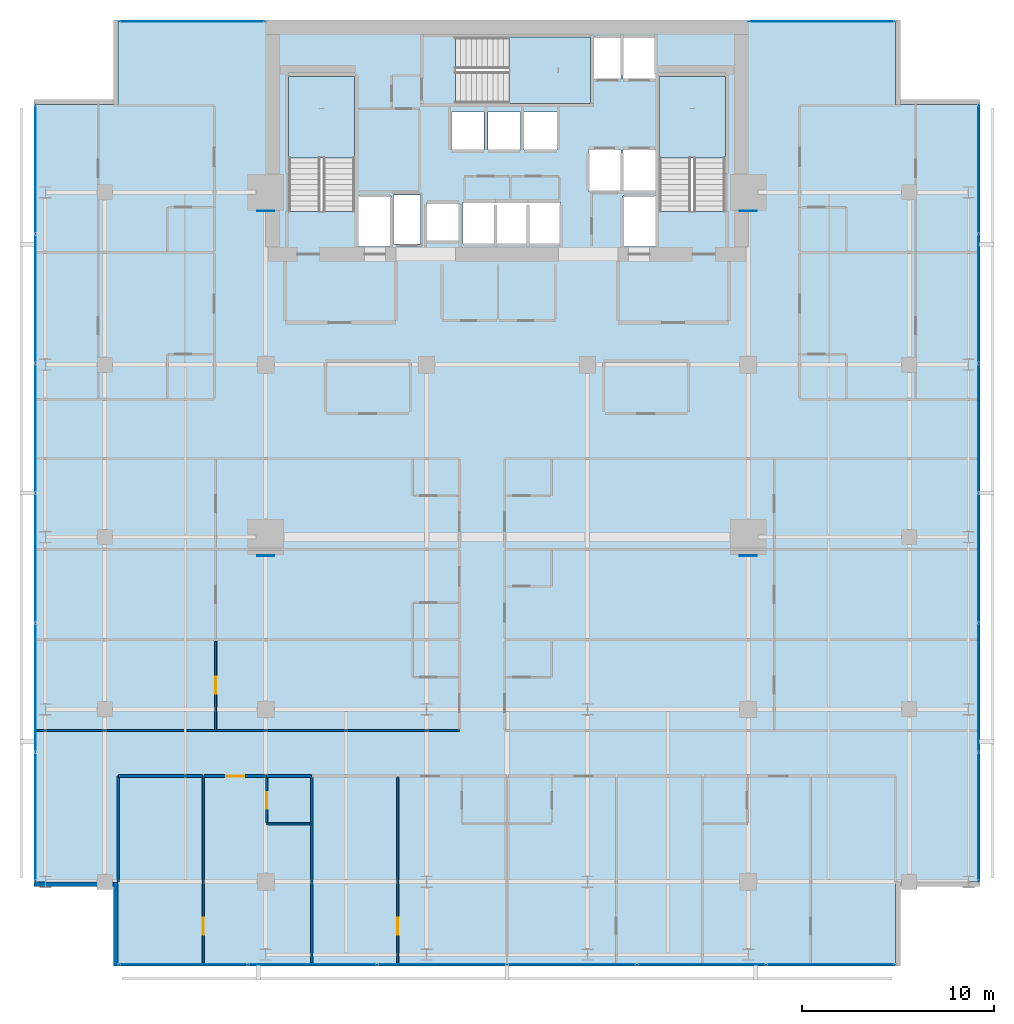
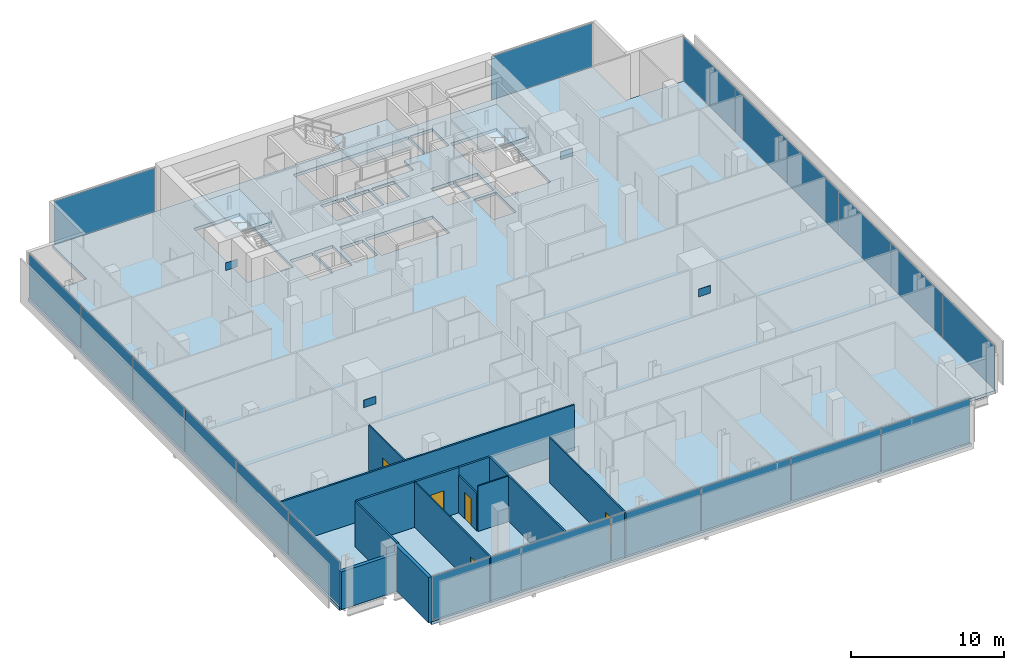
# One storey, part 26 of 34: 24 plates, 13 walls, 5 doors, 4 slabs, 5 openings, 8 elements without a shape of their own.
"""IFC4 building model written with IfcOpenShell, lengths in metres."""

from ifc_helpers import new_model, si_unit, direction, frame, frame_2d, origin, origin_2d, place, context, subcontext, project, spatial, polyline, rectangle, outline, extrude, material, layer, layer_set, type_object, element, fill, aggregate, save


model = new_model("IFC4")

# Units and contexts
model_context = context("Model", 3, precision=1e-05, world=origin(), true_north=direction((0.0, 1.0)))
body_context = subcontext(model_context, "Body", "Model", "MODEL_VIEW")
ifc_project = project(units=[si_unit("LENGTHUNIT", "METRE"), si_unit("AREAUNIT", "SQUARE_METRE"), si_unit("VOLUMEUNIT", "CUBIC_METRE"), si_unit("PLANEANGLEUNIT", "RADIAN"), si_unit("MASSUNIT", "GRAM", prefix="KILO")], contexts=[model_context])

# Site, building, storey
site_placement = place(None, origin())
site = spatial("IfcSite", under=ifc_project, at=site_placement, CompositionType="ELEMENT")
building_placement = place(site_placement, origin())
building = spatial("IfcBuilding", under=site, at=building_placement, Name="Maruvema Waterfront Hotel and Observation Tower", CompositionType="ELEMENT")
storey_placement = place(building_placement, frame((0.0, 0.0, 146.64990234375)))
storey = spatial("IfcBuildingStorey", under=building, at=storey_placement, Name="L35", CompositionType="ELEMENT", Elevation=146.64990234375)

# Slab
ifc_material_1 = material(Name="Concrete C50/60", Category="concrete")
ifc_layer_1 = layer(ifc_material_1, 0.239990234375, Name="Reinforced Concrete Floor Slab 240 mm")
ifc_layer_set_1 = layer_set([ifc_layer_1], Name="Concrete C50/60")
slab_type_1 = type_object("IfcSlabType", Name="Reinforced Concrete Floor Slab 240 mm", PredefinedType="FLOOR", material=ifc_layer_set_1)
slab_1_placement = place(storey_placement, frame((0.0, 0.0, -0.239990234375)))
element("IfcSlab", 1, at=slab_1_placement, inside=storey, type_object=slab_type_1, Name="L35 Structural Floor Slab", PredefinedType="FLOOR", context=body_context, shape_type="SweptSolid", body=[
    extrude(outline(polyline([(17.5, 4.60009765625), (58.10009765625, 4.60009765625), (58.10009765625, 9.0), (62.5, 9.0), (62.5, 49.60009765625), (58.10009765625, 49.60009765625), (58.10009765625, 54.0), (17.5, 54.0), (17.5, 49.60009765625), (13.10009765625, 49.60009765625), (13.10009765625, 9.0), (17.5, 9.0), (17.5, 4.60009765625)]), holes=[polyline([(26.39990234375, 44.00048828125), (26.39990234375, 51.050048828125), (29.85009765625, 51.050048828125), (29.85009765625, 44.00048828125), (26.39990234375, 44.00048828125)]), polyline([(30.050048828125, 44.800048828125), (31.75, 44.800048828125), (31.75, 42.169921875), (30.050048828125, 42.169921875), (30.050048828125, 44.800048828125)]), polyline([(31.8798828125, 44.860107421875), (33.280029296875, 44.860107421875), (33.280029296875, 42.2900390625), (31.8798828125, 42.2900390625), (31.8798828125, 44.860107421875)]), polyline([(33.60009765625, 44.449951171875), (35.300048828125, 44.449951171875), (35.300048828125, 42.449951171875), (33.60009765625, 42.449951171875), (33.60009765625, 44.449951171875)]), polyline([(34.89990234375, 49.199951171875), (36.60009765625, 49.199951171875), (36.60009765625, 47.199951171875), (34.89990234375, 47.199951171875), (34.89990234375, 49.199951171875)]), polyline([(36.800048828125, 49.199951171875), (38.5, 49.199951171875), (38.5, 47.199951171875), (36.800048828125, 47.199951171875), (36.800048828125, 49.199951171875)]), polyline([(35.5, 42.300048828125), (35.5, 44.5), (40.60009765625, 44.5), (40.60009765625, 42.300048828125), (35.5, 42.300048828125)]), polyline([(35.1005859375, 53.10009765625), (43.75, 53.10009765625), (43.75, 50.89990234375), (42.14990234375, 50.89990234375), (42.14990234375, 49.64990234375), (35.1005859375, 49.64990234375), (35.1005859375, 53.10009765625)]), polyline([(38.699951171875, 49.199951171875), (40.39990234375, 49.199951171875), (40.39990234375, 47.199951171875), (38.699951171875, 47.199951171875), (38.699951171875, 49.199951171875)]), polyline([(42.050048828125, 47.25), (43.75, 47.25), (43.75, 45.050048828125), (42.050048828125, 45.050048828125), (42.050048828125, 47.25)]), polyline([(43.85009765625, 44.800048828125), (45.550048828125, 44.800048828125), (45.550048828125, 42.169921875), (43.85009765625, 42.169921875), (43.85009765625, 44.800048828125)]), polyline([(43.85009765625, 47.25), (45.550048828125, 47.25), (45.550048828125, 45.050048828125), (43.85009765625, 45.050048828125), (43.85009765625, 47.25)]), polyline([(45.550048828125, 53.10009765625), (45.550048828125, 50.89990234375), (43.85009765625, 50.89990234375), (43.85009765625, 53.10009765625), (45.550048828125, 53.10009765625)]), polyline([(45.75, 44.00048828125), (45.75, 51.050048828125), (49.199951171875, 51.050048828125), (49.199951171875, 44.00048828125), (45.75, 44.00048828125)])]), origin(), (0.0, 0.0, 1.0), 0.239990234375),
])

# Curtain wall, plates
ifc_material_2 = material(Name="Anodised bronze aluminium and solar-control low-E IGU", Category="aluminium")
ifc_layer_2 = layer(ifc_material_2, 0.159912109375, Name="Zone 2 Amber Inner Thermal Curtain Wall System CW-03")
ifc_layer_set_2 = layer_set([ifc_layer_2], Name="Anodised bronze aluminium and solar-control low-E IGU")
curtain_wall_type = type_object("IfcCurtainWallType", Name="Zone 2 Amber Inner Thermal Curtain Wall System CW-03", PredefinedType="USERDEFINED", material=ifc_layer_set_2)
curtain_wall_1_placement = place(storey_placement, origin())
curtain_wall_1 = element("IfcCurtainWall", 2, at=curtain_wall_1_placement, inside=storey, type_object=curtain_wall_type, Name="L35 Curtain Wall CW-L35-S", ObjectType="UNITISED CURTAIN WALL", PredefinedType="USERDEFINED")
ifc_material_3 = material(Name="Laminated low-E solar-control double glazing", Category="glass")
ifc_layer_3 = layer(ifc_material_3, 0.035888671875, Name="Solar Control Double-Glazed Curtain Panel 36 mm")
ifc_layer_set_3 = layer_set([ifc_layer_3], Name="Laminated low-E solar-control double glazing")
plate_type_1 = type_object("IfcPlateType", Name="Solar Control Double-Glazed Curtain Panel 36 mm", PredefinedType="CURTAIN_PANEL", material=ifc_layer_set_3)
plate_1_placement = place(storey_placement, frame((20.8984375, 4.679931640625, 0.06005859375), z_axis=(0.0, 0.0, 1.0), x_axis=(1.0, 0.0, 0.0)))
plate_1 = element("IfcPlate", 3, at=plate_1_placement, type_object=plate_type_1, Name="CW-03 panel 1.1", PredefinedType="CURTAIN_PANEL", context=body_context, shape_type="SweptSolid", body=[
    extrude(rectangle(XDim=6.6767578125, YDim=0.028076171875, at=origin_2d()), origin(), (0.0, 0.0, 1.0), 3.489990234375),
])
plate_2_placement = place(storey_placement, frame((27.64990234375, 4.679931640625, 0.06005859375), z_axis=(0.0, 0.0, 1.0), x_axis=(1.0, 0.0, 0.0)))
plate_2 = element("IfcPlate", 4, at=plate_2_placement, type_object=plate_type_1, Name="CW-03 panel 2.1", PredefinedType="CURTAIN_PANEL", context=body_context, shape_type="SweptSolid", body=[
    extrude(rectangle(XDim=6.706787109375, YDim=0.028076171875, at=origin_2d()), origin(), (0.0, 0.0, 1.0), 3.489990234375),
])
plate_3_placement = place(storey_placement, frame((34.416748046875, 4.679931640625, 0.06005859375), z_axis=(0.0, 0.0, 1.0), x_axis=(1.0, 0.0, 0.0)))
plate_3 = element("IfcPlate", 5, at=plate_3_placement, type_object=plate_type_1, Name="CW-03 panel 3.1", PredefinedType="CURTAIN_PANEL", context=body_context, shape_type="SweptSolid", body=[
    extrude(rectangle(XDim=6.706787109375, YDim=0.028076171875, at=origin_2d()), origin(), (0.0, 0.0, 1.0), 3.489990234375),
])
plate_4_placement = place(storey_placement, frame((41.183349609375, 4.679931640625, 0.06005859375), z_axis=(0.0, 0.0, 1.0), x_axis=(1.0, 0.0, 0.0)))
plate_4 = element("IfcPlate", 6, at=plate_4_placement, type_object=plate_type_1, Name="CW-03 panel 4.1", PredefinedType="CURTAIN_PANEL", context=body_context, shape_type="SweptSolid", body=[
    extrude(rectangle(XDim=6.706787109375, YDim=0.028076171875, at=origin_2d()), origin(), (0.0, 0.0, 1.0), 3.489990234375),
])
plate_5_placement = place(storey_placement, frame((47.949951171875, 4.679931640625, 0.06005859375), z_axis=(0.0, 0.0, 1.0), x_axis=(1.0, 0.0, 0.0)))
plate_5 = element("IfcPlate", 7, at=plate_5_placement, type_object=plate_type_1, Name="CW-03 panel 5.1", PredefinedType="CURTAIN_PANEL", context=body_context, shape_type="SweptSolid", body=[
    extrude(rectangle(XDim=6.706787109375, YDim=0.028076171875, at=origin_2d()), origin(), (0.0, 0.0, 1.0), 3.489990234375),
])
plate_6_placement = place(storey_placement, frame((54.70166015625, 4.679931640625, 0.06005859375), z_axis=(0.0, 0.0, 1.0), x_axis=(1.0, 0.0, 0.0)))
plate_6 = element("IfcPlate", 8, at=plate_6_placement, type_object=plate_type_1, Name="CW-03 panel 6.1", PredefinedType="CURTAIN_PANEL", context=body_context, shape_type="SweptSolid", body=[
    extrude(rectangle(XDim=6.6767578125, YDim=0.028076171875, at=origin_2d()), origin(), (0.0, 0.0, 1.0), 3.489990234375),
])
aggregate(curtain_wall_1, [plate_1, plate_2, plate_3, plate_4, plate_5, plate_6])

curtain_wall_2_placement = place(storey_placement, origin())
curtain_wall_2 = element("IfcCurtainWall", 9, at=curtain_wall_2_placement, inside=storey, type_object=curtain_wall_type, Name="L35 Curtain Wall CW-L35-E", ObjectType="UNITISED CURTAIN WALL", PredefinedType="USERDEFINED")
plate_7_placement = place(storey_placement, frame((62.419921875, 12.3984375, 0.06005859375), z_axis=(0.0, 0.0, 1.0), x_axis=(0.0, 1.0, 0.0)))
plate_7 = element("IfcPlate", 10, at=plate_7_placement, type_object=plate_type_1, Name="CW-03 panel 1.1", PredefinedType="CURTAIN_PANEL", context=body_context, shape_type="SweptSolid", body=[
    extrude(rectangle(XDim=6.6767578125, YDim=0.028076171875, at=origin_2d()), origin(), (0.0, 0.0, 1.0), 3.489990234375),
])
plate_8_placement = place(storey_placement, frame((62.419921875, 19.14990234375, 0.06005859375), z_axis=(0.0, 0.0, 1.0), x_axis=(0.0, 1.0, 0.0)))
plate_8 = element("IfcPlate", 11, at=plate_8_placement, type_object=plate_type_1, Name="CW-03 panel 2.1", PredefinedType="CURTAIN_PANEL", context=body_context, shape_type="SweptSolid", body=[
    extrude(rectangle(XDim=6.706787109375, YDim=0.028076171875, at=origin_2d()), origin(), (0.0, 0.0, 1.0), 3.489990234375),
])
plate_9_placement = place(storey_placement, frame((62.419921875, 25.916748046875, 0.06005859375), z_axis=(0.0, 0.0, 1.0), x_axis=(0.0, 1.0, 0.0)))
plate_9 = element("IfcPlate", 12, at=plate_9_placement, type_object=plate_type_1, Name="CW-03 panel 3.1", PredefinedType="CURTAIN_PANEL", context=body_context, shape_type="SweptSolid", body=[
    extrude(rectangle(XDim=6.706787109375, YDim=0.028076171875, at=origin_2d()), origin(), (0.0, 0.0, 1.0), 3.489990234375),
])
plate_10_placement = place(storey_placement, frame((62.419921875, 32.683349609375, 0.06005859375), z_axis=(0.0, 0.0, 1.0), x_axis=(0.0, 1.0, 0.0)))
plate_10 = element("IfcPlate", 13, at=plate_10_placement, type_object=plate_type_1, Name="CW-03 panel 4.1", PredefinedType="CURTAIN_PANEL", context=body_context, shape_type="SweptSolid", body=[
    extrude(rectangle(XDim=6.706787109375, YDim=0.028076171875, at=origin_2d()), origin(), (0.0, 0.0, 1.0), 3.489990234375),
])
plate_11_placement = place(storey_placement, frame((62.419921875, 39.449951171875, 0.06005859375), z_axis=(0.0, 0.0, 1.0), x_axis=(0.0, 1.0, 0.0)))
plate_11 = element("IfcPlate", 14, at=plate_11_placement, type_object=plate_type_1, Name="CW-03 panel 5.1", PredefinedType="CURTAIN_PANEL", context=body_context, shape_type="SweptSolid", body=[
    extrude(rectangle(XDim=6.706787109375, YDim=0.028076171875, at=origin_2d()), origin(), (0.0, 0.0, 1.0), 3.489990234375),
])
plate_12_placement = place(storey_placement, frame((62.419921875, 46.20166015625, 0.06005859375), z_axis=(0.0, 0.0, 1.0), x_axis=(0.0, 1.0, 0.0)))
plate_12 = element("IfcPlate", 15, at=plate_12_placement, type_object=plate_type_1, Name="CW-03 panel 6.1", PredefinedType="CURTAIN_PANEL", context=body_context, shape_type="SweptSolid", body=[
    extrude(rectangle(XDim=6.6767578125, YDim=0.028076171875, at=origin_2d()), origin(), (0.0, 0.0, 1.0), 3.489990234375),
])
aggregate(curtain_wall_2, [plate_7, plate_8, plate_9, plate_10, plate_11, plate_12])

curtain_wall_3_placement = place(storey_placement, origin())
curtain_wall_3 = element("IfcCurtainWall", 16, at=curtain_wall_3_placement, inside=storey, type_object=curtain_wall_type, Name="L35 Curtain Wall CW-L35-W", ObjectType="UNITISED CURTAIN WALL", PredefinedType="USERDEFINED")
plate_13_placement = place(storey_placement, frame((13.179931640625, 46.20166015625, 0.06005859375), z_axis=(0.0, 0.0, 1.0), x_axis=(0.0, -1.0, 0.0)))
plate_13 = element("IfcPlate", 17, at=plate_13_placement, type_object=plate_type_1, Name="CW-03 panel 1.1", PredefinedType="CURTAIN_PANEL", context=body_context, shape_type="SweptSolid", body=[
    extrude(rectangle(XDim=6.6767578125, YDim=0.028076171875, at=origin_2d()), origin(), (0.0, 0.0, 1.0), 3.489990234375),
])
plate_14_placement = place(storey_placement, frame((13.179931640625, 39.449951171875, 0.06005859375), z_axis=(0.0, 0.0, 1.0), x_axis=(0.0, -1.0, 0.0)))
plate_14 = element("IfcPlate", 18, at=plate_14_placement, type_object=plate_type_1, Name="CW-03 panel 2.1", PredefinedType="CURTAIN_PANEL", context=body_context, shape_type="SweptSolid", body=[
    extrude(rectangle(XDim=6.706787109375, YDim=0.028076171875, at=origin_2d()), origin(), (0.0, 0.0, 1.0), 3.489990234375),
])
plate_15_placement = place(storey_placement, frame((13.179931640625, 32.683349609375, 0.06005859375), z_axis=(0.0, 0.0, 1.0), x_axis=(0.0, -1.0, 0.0)))
plate_15 = element("IfcPlate", 19, at=plate_15_placement, type_object=plate_type_1, Name="CW-03 panel 3.1", PredefinedType="CURTAIN_PANEL", context=body_context, shape_type="SweptSolid", body=[
    extrude(rectangle(XDim=6.706787109375, YDim=0.028076171875, at=origin_2d()), origin(), (0.0, 0.0, 1.0), 3.489990234375),
])
plate_16_placement = place(storey_placement, frame((13.179931640625, 25.916748046875, 0.06005859375), z_axis=(0.0, 0.0, 1.0), x_axis=(0.0, -1.0, 0.0)))
plate_16 = element("IfcPlate", 20, at=plate_16_placement, type_object=plate_type_1, Name="CW-03 panel 4.1", PredefinedType="CURTAIN_PANEL", context=body_context, shape_type="SweptSolid", body=[
    extrude(rectangle(XDim=6.706787109375, YDim=0.028076171875, at=origin_2d()), origin(), (0.0, 0.0, 1.0), 3.489990234375),
])
plate_17_placement = place(storey_placement, frame((13.179931640625, 19.14990234375, 0.06005859375), z_axis=(0.0, 0.0, 1.0), x_axis=(0.0, -1.0, 0.0)))
plate_17 = element("IfcPlate", 21, at=plate_17_placement, type_object=plate_type_1, Name="CW-03 panel 5.1", PredefinedType="CURTAIN_PANEL", context=body_context, shape_type="SweptSolid", body=[
    extrude(rectangle(XDim=6.706787109375, YDim=0.028076171875, at=origin_2d()), origin(), (0.0, 0.0, 1.0), 3.489990234375),
])
plate_18_placement = place(storey_placement, frame((13.179931640625, 12.3984375, 0.06005859375), z_axis=(0.0, 0.0, 1.0), x_axis=(0.0, -1.0, 0.0)))
plate_18 = element("IfcPlate", 22, at=plate_18_placement, type_object=plate_type_1, Name="CW-03 panel 6.1", PredefinedType="CURTAIN_PANEL", context=body_context, shape_type="SweptSolid", body=[
    extrude(rectangle(XDim=6.6767578125, YDim=0.028076171875, at=origin_2d()), origin(), (0.0, 0.0, 1.0), 3.489990234375),
])
aggregate(curtain_wall_3, [plate_13, plate_14, plate_15, plate_16, plate_17, plate_18])

# Curtain wall, plate
curtain_wall_4_placement = place(storey_placement, origin())
curtain_wall_4 = element("IfcCurtainWall", 23, at=curtain_wall_4_placement, inside=storey, type_object=curtain_wall_type, Name="L35 Curtain Wall CW-L35-NW", ObjectType="UNITISED CURTAIN WALL", PredefinedType="USERDEFINED")
plate_19_placement = place(storey_placement, frame((21.35009765625, 53.919921875, 0.06005859375), z_axis=(0.0, 0.0, 1.0), x_axis=(-1.0, 0.0, 0.0)))
plate_19 = element("IfcPlate", 24, at=plate_19_placement, type_object=plate_type_1, Name="CW-03 panel 1.1", PredefinedType="CURTAIN_PANEL", context=body_context, shape_type="SweptSolid", body=[
    extrude(rectangle(XDim=7.580078125, YDim=0.028076171875, at=origin_2d()), origin(), (0.0, 0.0, 1.0), 3.489990234375),
])
aggregate(curtain_wall_4, [plate_19])

curtain_wall_5_placement = place(storey_placement, origin())
curtain_wall_5 = element("IfcCurtainWall", 25, at=curtain_wall_5_placement, inside=storey, type_object=curtain_wall_type, Name="L35 Curtain Wall CW-L35-NE", ObjectType="UNITISED CURTAIN WALL", PredefinedType="USERDEFINED")
plate_20_placement = place(storey_placement, frame((54.25, 53.919921875, 0.06005859375), z_axis=(0.0, 0.0, 1.0), x_axis=(-1.0, 0.0, 0.0)))
plate_20 = element("IfcPlate", 26, at=plate_20_placement, type_object=plate_type_1, Name="CW-03 panel 1.1", PredefinedType="CURTAIN_PANEL", context=body_context, shape_type="SweptSolid", body=[
    extrude(rectangle(XDim=7.580078125, YDim=0.028076171875, at=origin_2d()), origin(), (0.0, 0.0, 1.0), 3.489990234375),
])
aggregate(curtain_wall_5, [plate_20])

# Stair, slab
ifc_material_4 = material(Name="Concrete C50/60", Category="concrete")
stair_type = type_object("IfcStairType", Name="Dogleg Exit Stair 1650 mm (22R x 175.0 mm)", PredefinedType="HALF_TURN_STAIR", material=ifc_material_4)
stair_1_placement = place(storey_placement, origin())
stair_1 = element("IfcStair", 27, at=stair_1_placement, inside=storey, type_object=stair_type, Name="L35 ST-01", PredefinedType="HALF_TURN_STAIR")
ifc_material_5 = material(Name="Concrete C50/60", Category="concrete")
ifc_layer_4 = layer(ifc_material_5, 0.219970703125, Name="Stair Concrete Landing Slab 220 mm")
ifc_layer_set_4 = layer_set([ifc_layer_4], Name="Concrete C50/60")
slab_type_2 = type_object("IfcSlabType", Name="Stair Concrete Landing Slab 220 mm", PredefinedType="LANDING", material=ifc_layer_set_4)
slab_2_placement = place(storey_placement, frame((0.0, 0.0, 1.705078125)))
slab_2 = element("IfcSlab", 28, at=slab_2_placement, type_object=slab_type_2, Name="ST-01 landing 1", PredefinedType="LANDING", context=body_context, shape_type="SweptSolid", body=[
    extrude(outline(polyline([(29.85009765625, 46.800048828125), (29.85009765625, 51.050048828125), (26.39990234375, 51.050048828125), (26.39990234375, 46.800048828125), (29.85009765625, 46.800048828125)])), origin(), (0.0, 0.0, 1.0), 0.219970703125),
])
aggregate(stair_1, [slab_2])

stair_2_placement = place(storey_placement, origin())
stair_2 = element("IfcStair", 29, at=stair_2_placement, inside=storey, type_object=stair_type, Name="L35 ST-02", PredefinedType="HALF_TURN_STAIR")
slab_3_placement = place(storey_placement, frame((0.0, 0.0, 1.705078125)))
slab_3 = element("IfcSlab", 30, at=slab_3_placement, type_object=slab_type_2, Name="ST-02 landing 1", PredefinedType="LANDING", context=body_context, shape_type="SweptSolid", body=[
    extrude(outline(polyline([(37.89990234375, 49.64990234375), (42.14990234375, 49.64990234375), (42.14990234375, 53.10009765625), (37.89990234375, 53.10009765625), (37.89990234375, 49.64990234375)])), origin(), (0.0, 0.0, 1.0), 0.219970703125),
])
aggregate(stair_2, [slab_3])

stair_3_placement = place(storey_placement, origin())
stair_3 = element("IfcStair", 31, at=stair_3_placement, inside=storey, type_object=stair_type, Name="L35 ST-03", PredefinedType="HALF_TURN_STAIR")
slab_4_placement = place(storey_placement, frame((0.0, 0.0, 1.705078125)))
slab_4 = element("IfcSlab", 32, at=slab_4_placement, type_object=slab_type_2, Name="ST-03 landing 1", PredefinedType="LANDING", context=body_context, shape_type="SweptSolid", body=[
    extrude(outline(polyline([(49.199951171875, 46.800048828125), (49.199951171875, 51.050048828125), (45.75, 51.050048828125), (45.75, 46.800048828125), (49.199951171875, 46.800048828125)])), origin(), (0.0, 0.0, 1.0), 0.219970703125),
])
aggregate(stair_3, [slab_4])

# Plates
ifc_material_6 = material(Name="Steel ABNT NBR 7007 AR 415 (ASTM A572 Grade 50)", Category="steel")
ifc_layer_5 = layer(ifc_material_6, 0.0400390625, Name="Structural Truss Node Gusset Plate 40 mm")
ifc_layer_set_5 = layer_set([ifc_layer_5], Name="Steel ABNT NBR 7007 AR 415 (ASTM A572 Grade 50)")
plate_type_2 = type_object("IfcPlateType", Name="Structural Truss Node Gusset Plate 40 mm", PredefinedType="USERDEFINED", material=ifc_layer_set_5)
for number, where, z_axis, x_axis, name in (
    (33, (25.199951171875, 26.030029296875, 1.5), (0.0, 0.0, 1.0), (1.0, 0.0, 0.0), "L35 MC-01 Moment Frame Continuity Gusset Plate"),
    (34, (50.39990234375, 26.030029296875, 1.5), (0.0, 0.0, 1.0), (1.0, 0.0, 0.0), "L35 MC-02 Moment Frame Continuity Gusset Plate"),
    (35, (25.199951171875, 44.030029296875, 1.5), (0.0, 0.0, 1.0), (1.0, 0.0, 0.0), "L35 MC-03 Moment Frame Continuity Gusset Plate"),
    (36, (50.39990234375, 44.030029296875, 1.5), (0.0, 0.0, 1.0), (1.0, 0.0, 0.0), "L35 MC-04 Moment Frame Continuity Gusset Plate"),
):
    element("IfcPlate", number, at=place(storey_placement, frame(where, z_axis=z_axis, x_axis=x_axis)), inside=storey, type_object=plate_type_2, Name=name, ObjectType="GUSSET_PLATE", PredefinedType="USERDEFINED", context=body_context, shape_type="SweptSolid", body=[
        extrude(rectangle(XDim=0.89990234375, YDim=0.0400390625, at=origin_2d()), origin(), (0.0, 0.0, 1.0), 0.60009765625),
    ])

# Walls
ifc_material_7 = material(Name="Twin-stud acoustic gypsum drywall", Category="gypsum")
ifc_layer_6 = layer(ifc_material_7, 0.14990234375, Name="Acoustic Corridor and Suite Demising Wall 150 mm")
ifc_layer_set_6 = layer_set([ifc_layer_6], Name="Twin-stud acoustic gypsum drywall")
wall_type_1 = type_object("IfcWallType", Name="Acoustic Corridor and Suite Demising Wall 150 mm", PredefinedType="PARTITIONING", material=ifc_layer_set_6)
wall_1_placement = place(storey_placement, frame((25.25, 14.52001953125, 0.0), z_axis=(0.0, 0.0, 1.0), x_axis=(1.0, 0.0, 0.0)))
element("IfcWall", 37, at=wall_1_placement, inside=storey, type_object=wall_type_1, Name="L35 Bath L35-S1 Back Wall 037", PredefinedType="PARTITIONING", context=body_context, shape_type="SweptSolid", body=[
    extrude(rectangle(XDim=2.330078125, YDim=0.14990234375, at=frame_2d((1.1650390625, 0.0))), origin(), (0.0, 0.0, 1.0), 3.610107421875),
])
wall_2_placement = place(storey_placement, frame((17.52001953125, 14.52001953125, 0.0), z_axis=(0.0, 0.0, 1.0), x_axis=(1.0, 0.0, 0.0)))
element("IfcWall", 38, at=wall_2_placement, inside=storey, type_object=wall_type_1, Name="L35 Bedroom L35-S1 Back Wall 040", PredefinedType="PARTITIONING", context=body_context, shape_type="SweptSolid", body=[
    extrude(rectangle(XDim=4.384033203125, YDim=0.14990234375, at=frame_2d((2.19189453125, 0.0))), origin(), (0.0, 0.0, 1.0), 3.610107421875),
])

# Wall, opening, door
wall_3_placement = place(storey_placement, frame((21.98388671875, 14.52001953125, 0.0), z_axis=(0.0, 0.0, 1.0), x_axis=(1.0, 0.0, 0.0)))
wall_3 = element("IfcWall", 39, at=wall_3_placement, inside=storey, type_object=wall_type_1, Name="L35 Unit L35-S1 Corridor Wall 041", PredefinedType="PARTITIONING", context=body_context, shape_type="SweptSolid", body=[
    extrude(rectangle(XDim=3.26611328125, YDim=0.14990234375, at=frame_2d((1.633056640625, 0.0))), origin(), (0.0, 0.0, 1.0), 3.610107421875),
])
opening_1_placement = place(wall_3_placement, frame((1.157958984375, 0.0, 0.0)))
opening_1 = element("IfcOpeningElement", 40, at=opening_1_placement, cuts=wall_3, Name="Opening DR-095", PredefinedType="OPENING", context=body_context, shape_type="SweptSolid", body=[
    extrude(rectangle(XDim=0.949951171875, YDim=2.14990234375, at=frame_2d((0.47509765625, 1.074951171875))), frame((0.0, 0.0849609375, 0.0), z_axis=(0.0, -1.0, 0.0), x_axis=(1.0, 0.0, 0.0)), (0.0, 0.0, 1.0), 0.169921875),
])
ifc_material_8 = material(Name="Acoustic solid-core hardwood timber leaf", Category="wood")
door_type_1 = type_object("IfcDoorType", Name="Guestroom Entrance Fire Door 950x2150 mm", OperationType="NOTDEFINED", PredefinedType="DOOR", material=ifc_material_8)
door_1_placement = place(opening_1_placement, frame((0.949951171875, 0.0, 0.0), z_axis=(0.0, 0.0, 1.0), x_axis=(-1.0, 0.0, 0.0)))
door_1 = element("IfcDoor", 41, at=door_1_placement, inside=storey, type_object=door_type_1, Name="L35 Unit L35-S1 Entrance Door", OperationType="SINGLE_SWING_LEFT", OverallHeight=2.14990234375, OverallWidth=0.949951171875, PredefinedType="DOOR", context=body_context, shape_type="SweptSolid", body=[
    extrude(rectangle(XDim=0.949951171875, YDim=2.14990234375, at=frame_2d((0.47509765625, 1.074951171875))), frame((0.0, 0.02490234375, 0.0), z_axis=(0.0, -1.0, 0.0), x_axis=(1.0, 0.0, 0.0)), (0.0, 0.0, 1.0), 0.050048828125),
])
fill(opening_1, door_1)

# Wall
ifc_material_9 = material(Name="Moisture-resistant cement-board drywall", Category="gypsum")
ifc_layer_7 = layer(ifc_material_9, 0.10009765625, Name="En-Suite Moisture-Resistant Partition 100 mm")
ifc_layer_set_7 = layer_set([ifc_layer_7], Name="Moisture-resistant cement-board drywall")
wall_type_2 = type_object("IfcWallType", Name="En-Suite Moisture-Resistant Partition 100 mm", PredefinedType="PARTITIONING", material=ifc_layer_set_7)
wall_4_placement = place(storey_placement, frame((25.25, 12.02001953125, 0.0), z_axis=(0.0, 0.0, 1.0), x_axis=(1.0, 0.0, 0.0)))
element("IfcWall", 42, at=wall_4_placement, inside=storey, type_object=wall_type_2, Name="L35 En-Suite L35-S1 South 038", PredefinedType="PARTITIONING", context=body_context, shape_type="SweptSolid", body=[
    extrude(rectangle(XDim=2.31005859375, YDim=0.10009765625, at=frame_2d((1.155029296875, 0.0))), origin(), (0.0, 0.0, 1.0), 3.610107421875),
])

# Wall, opening, door
wall_5_placement = place(storey_placement, frame((25.25, 12.080078125, 0.0), z_axis=(0.0, 0.0, 1.0), x_axis=(0.0, 1.0, 0.0)))
wall_5 = element("IfcWall", 43, at=wall_5_placement, inside=storey, type_object=wall_type_2, Name="L35 En-Suite L35-S1 West 039", PredefinedType="PARTITIONING", context=body_context, shape_type="SweptSolid", body=[
    extrude(rectangle(XDim=2.33984375, YDim=0.10009765625, at=frame_2d((1.169921875, 0.0))), origin(), (0.0, 0.0, 1.0), 2.998046875),
])
opening_2_placement = place(wall_5_placement, frame((0.7451171875, 0.0, 0.0)))
opening_2 = element("IfcOpeningElement", 44, at=opening_2_placement, cuts=wall_5, Name="Opening DR-085", PredefinedType="OPENING", context=body_context, shape_type="SweptSolid", body=[
    extrude(rectangle(XDim=0.85009765625, YDim=2.10009765625, at=frame_2d((0.425048828125, 1.050048828125))), frame((0.0, 0.06005859375, 0.0), z_axis=(0.0, -1.0, 0.0), x_axis=(1.0, 0.0, 0.0)), (0.0, 0.0, 1.0), 0.1201171875),
])
ifc_material_10 = material(Name="Moisture-resistant solid timber leaf", Category="wood")
door_type_2 = type_object("IfcDoorType", Name="En-Suite Bathroom Door 850x2100 mm", OperationType="NOTDEFINED", PredefinedType="DOOR", material=ifc_material_10)
door_2_placement = place(opening_2_placement, origin())
door_2 = element("IfcDoor", 45, at=door_2_placement, inside=storey, type_object=door_type_2, Name="L35 En-Suite L35-S1 Door", OperationType="SINGLE_SWING_RIGHT", OverallHeight=2.10009765625, OverallWidth=0.85009765625, PredefinedType="DOOR", context=body_context, shape_type="SweptSolid", body=[
    extrude(rectangle(XDim=0.85009765625, YDim=2.10009765625, at=frame_2d((0.425048828125, 1.050048828125))), frame((0.0, 0.02490234375, 0.0), z_axis=(0.0, -1.0, 0.0), x_axis=(1.0, 0.0, 0.0)), (0.0, 0.0, 1.0), 0.050048828125),
])
fill(opening_2, door_2)

wall_6_placement = place(storey_placement, frame((21.944091796875, 4.6298828125, 0.0), z_axis=(0.0, 0.0, 1.0), x_axis=(0.0, 1.0, 0.0)))
wall_6 = element("IfcWall", 46, at=wall_6_placement, inside=storey, type_object=wall_type_2, Name="L35 Suite L35-S1 Split 042", PredefinedType="PARTITIONING", context=body_context, shape_type="SweptSolid", body=[
    extrude(rectangle(XDim=9.830078125, YDim=0.10009765625, at=frame_2d((4.9150390625, 0.0))), origin(), (0.0, 0.0, 1.0), 3.610107421875),
])
opening_3_placement = place(wall_6_placement, frame((1.60009765625, 0.0, 0.0)))
opening_3 = element("IfcOpeningElement", 47, at=opening_3_placement, cuts=wall_6, Name="Opening DR-090", PredefinedType="OPENING", context=body_context, shape_type="SweptSolid", body=[
    extrude(rectangle(XDim=0.89990234375, YDim=2.10009765625, at=frame_2d((0.449951171875, 1.050048828125))), frame((0.0, 0.06005859375, 0.0), z_axis=(0.0, -1.0, 0.0), x_axis=(1.0, 0.0, 0.0)), (0.0, 0.0, 1.0), 0.1201171875),
])
ifc_material_11 = material(Name="Solid-core lacquered timber leaf", Category="wood")
door_type_3 = type_object("IfcDoorType", Name="Accessible Toilet and Room Door 900x2100 mm", OperationType="NOTDEFINED", PredefinedType="DOOR", material=ifc_material_11)
door_3_placement = place(opening_3_placement, frame((0.89990234375, 0.0, 0.0), z_axis=(0.0, 0.0, 1.0), x_axis=(-1.0, 0.0, 0.0)))
door_3 = element("IfcDoor", 48, at=door_3_placement, inside=storey, type_object=door_type_3, Name="L35 Suite L35-S1 Bedroom Door", OperationType="SINGLE_SWING_RIGHT", OverallHeight=2.10009765625, OverallWidth=0.89990234375, PredefinedType="DOOR", context=body_context, shape_type="SweptSolid", body=[
    extrude(rectangle(XDim=0.89990234375, YDim=2.10009765625, at=frame_2d((0.449951171875, 1.050048828125))), frame((0.0, 0.02490234375, 0.0), z_axis=(0.0, -1.0, 0.0), x_axis=(1.0, 0.0, 0.0)), (0.0, 0.0, 1.0), 0.050048828125),
])
fill(opening_3, door_3)

wall_7_placement = place(storey_placement, frame((32.087890625, 4.6298828125, 0.0), z_axis=(0.0, 0.0, 1.0), x_axis=(0.0, 1.0, 0.0)))
wall_7 = element("IfcWall", 49, at=wall_7_placement, inside=storey, type_object=wall_type_2, Name="L35 Suite L35-S2 Split 049", PredefinedType="PARTITIONING", context=body_context, shape_type="SweptSolid", body=[
    extrude(rectangle(XDim=9.830078125, YDim=0.10009765625, at=frame_2d((4.9150390625, 0.0))), origin(), (0.0, 0.0, 1.0), 3.610107421875),
])
opening_4_placement = place(wall_7_placement, frame((1.60009765625, 0.0, 0.0)))
opening_4 = element("IfcOpeningElement", 50, at=opening_4_placement, cuts=wall_7, Name="Opening DR-090", PredefinedType="OPENING", context=body_context, shape_type="SweptSolid", body=[
    extrude(rectangle(XDim=0.89990234375, YDim=2.10009765625, at=frame_2d((0.449951171875, 1.050048828125))), frame((0.0, 0.06005859375, 0.0), z_axis=(0.0, -1.0, 0.0), x_axis=(1.0, 0.0, 0.0)), (0.0, 0.0, 1.0), 0.1201171875),
])
door_4_placement = place(opening_4_placement, frame((0.89990234375, 0.0, 0.0), z_axis=(0.0, 0.0, 1.0), x_axis=(-1.0, 0.0, 0.0)))
door_4 = element("IfcDoor", 51, at=door_4_placement, inside=storey, type_object=door_type_3, Name="L35 Suite L35-S2 Bedroom Door", OperationType="SINGLE_SWING_LEFT", OverallHeight=2.10009765625, OverallWidth=0.89990234375, PredefinedType="DOOR", context=body_context, shape_type="SweptSolid", body=[
    extrude(rectangle(XDim=0.89990234375, YDim=2.10009765625, at=frame_2d((0.449951171875, 1.050048828125))), frame((0.0, 0.02490234375, 0.0), z_axis=(0.0, -1.0, 0.0), x_axis=(1.0, 0.0, 0.0)), (0.0, 0.0, 1.0), 0.050048828125),
])
fill(opening_4, door_4)

wall_8_placement = place(storey_placement, frame((22.589599609375, 16.9599609375, 0.0), z_axis=(0.0, 0.0, 1.0), x_axis=(0.0, 1.0, 0.0)))
wall_8 = element("IfcWall", 52, at=wall_8_placement, inside=storey, type_object=wall_type_2, Name="L35 Suite L35-W1 Split 072", PredefinedType="PARTITIONING", context=body_context, shape_type="SweptSolid", body=[
    extrude(rectangle(XDim=4.610107421875, YDim=0.10009765625, at=frame_2d((2.30517578125, 0.0))), origin(), (0.0, 0.0, 1.0), 3.610107421875),
])
opening_5_placement = place(wall_8_placement, frame((1.85498046875, 0.0, 0.0)))
opening_5 = element("IfcOpeningElement", 53, at=opening_5_placement, cuts=wall_8, Name="Opening DR-090", PredefinedType="OPENING", context=body_context, shape_type="SweptSolid", body=[
    extrude(rectangle(XDim=0.89990234375, YDim=2.10009765625, at=frame_2d((0.449951171875, 1.050048828125))), frame((0.0, 0.06005859375, 0.0), z_axis=(0.0, -1.0, 0.0), x_axis=(1.0, 0.0, 0.0)), (0.0, 0.0, 1.0), 0.1201171875),
])
door_5_placement = place(opening_5_placement, origin())
door_5 = element("IfcDoor", 54, at=door_5_placement, inside=storey, type_object=door_type_3, Name="L35 Suite L35-W1 Bedroom Door", OperationType="SINGLE_SWING_RIGHT", OverallHeight=2.10009765625, OverallWidth=0.89990234375, PredefinedType="DOOR", context=body_context, shape_type="SweptSolid", body=[
    extrude(rectangle(XDim=0.89990234375, YDim=2.10009765625, at=frame_2d((0.449951171875, 1.050048828125))), frame((0.0, 0.02490234375, 0.0), z_axis=(0.0, -1.0, 0.0), x_axis=(1.0, 0.0, 0.0)), (0.0, 0.0, 1.0), 0.050048828125),
])
fill(opening_5, door_5)

# Walls
ifc_material_12 = material(Name="Precast concrete C45/55 with honed Pernambuco granite facing", Category="masonry")
ifc_layer_8 = layer(ifc_material_12, 0.260009765625, Name="Exterior Granite Clad Spandrel and Pier Wall 260 mm")
ifc_layer_set_8 = layer_set([ifc_layer_8], Name="Precast concrete C45/55 with honed Pernambuco granite facing")
wall_type_3 = type_object("IfcWallType", Name="Exterior Granite Clad Spandrel and Pier Wall 260 mm", PredefinedType="SOLIDWALL", material=ifc_layer_set_8)
wall_9_placement = place(storey_placement, frame((17.3701171875, 4.60009765625, 0.0), z_axis=(0.0, 0.0, 1.0), x_axis=(0.0, 1.0, 0.0)))
element("IfcWall", 55, at=wall_9_placement, inside=storey, type_object=wall_type_3, Name="L35 Corner Notch Granite Pier Wall SW1", PredefinedType="SOLIDWALL", context=body_context, shape_type="SweptSolid", body=[
    extrude(rectangle(XDim=4.39990234375, YDim=0.260009765625, at=frame_2d((2.199951171875, 0.0))), origin(), (0.0, 0.0, 1.0), 3.610107421875),
])
wall_10_placement = place(storey_placement, frame((17.5, 8.8701171875, 0.0), z_axis=(0.0, 0.0, 1.0), x_axis=(-1.0, 0.0, 0.0)))
element("IfcWall", 56, at=wall_10_placement, inside=storey, type_object=wall_type_3, Name="L35 Corner Notch Granite Pier Wall SW2", PredefinedType="SOLIDWALL", context=body_context, shape_type="SweptSolid", body=[
    extrude(rectangle(XDim=4.39990234375, YDim=0.260009765625, at=frame_2d((2.199951171875, 0.0))), origin(), (0.0, 0.0, 1.0), 2.998046875),
])
ifc_material_13 = material(Name="Acoustic gypsum plasterboard drywall", Category="gypsum")
ifc_layer_9 = layer(ifc_material_13, 0.125, Name="Guestroom Acoustic Demising Wall 125 mm")
ifc_layer_set_9 = layer_set([ifc_layer_9], Name="Acoustic gypsum plasterboard drywall")
wall_type_4 = type_object("IfcWallType", Name="Guestroom Acoustic Demising Wall 125 mm", PredefinedType="PARTITIONING", material=ifc_layer_set_9)
wall_11_placement = place(storey_placement, frame((17.5, 9.0, 0.0), z_axis=(0.0, 0.0, 1.0), x_axis=(0.0, 1.0, 0.0)))
element("IfcWall", 57, at=wall_11_placement, inside=storey, type_object=wall_type_4, Name="L35 Z2 S West End 035", PredefinedType="PARTITIONING", context=body_context, shape_type="SweptSolid", body=[
    extrude(rectangle(XDim=5.52001953125, YDim=0.125, at=frame_2d((2.760009765625, 0.0))), origin(), (0.0, 0.0, 1.0), 3.610107421875),
])
wall_12_placement = place(storey_placement, frame((27.60009765625, 4.699951171875, 0.0), z_axis=(0.0, 0.0, 1.0), x_axis=(0.0, 1.0, 0.0)))
element("IfcWall", 58, at=wall_12_placement, inside=storey, type_object=wall_type_4, Name="L35 Z2 S Demising 2 043", PredefinedType="PARTITIONING", context=body_context, shape_type="SweptSolid", body=[
    extrude(rectangle(XDim=9.820068359375, YDim=0.125, at=frame_2d((4.91015625, 0.0))), origin(), (0.0, 0.0, 1.0), 3.610107421875),
])
wall_13_placement = place(storey_placement, frame((13.199951171875, 16.89990234375, 0.0), z_axis=(0.0, 0.0, 1.0), x_axis=(1.0, 0.0, 0.0)))
element("IfcWall", 59, at=wall_13_placement, inside=storey, type_object=wall_type_4, Name="L35 Z2 W Bot End 064", PredefinedType="PARTITIONING", context=body_context, shape_type="SweptSolid", body=[
    extrude(rectangle(XDim=22.1201171875, YDim=0.125, at=frame_2d((11.06005859375, 0.0))), origin(), (0.0, 0.0, 1.0), 3.610107421875),
])

save(model, "model.ifc")
